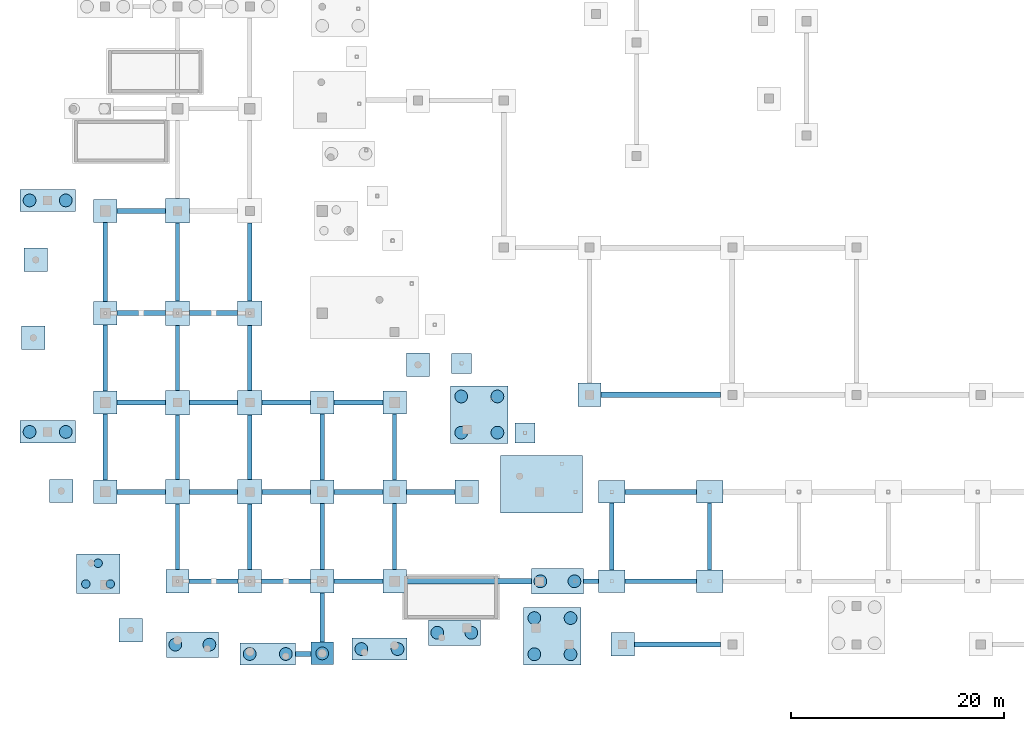
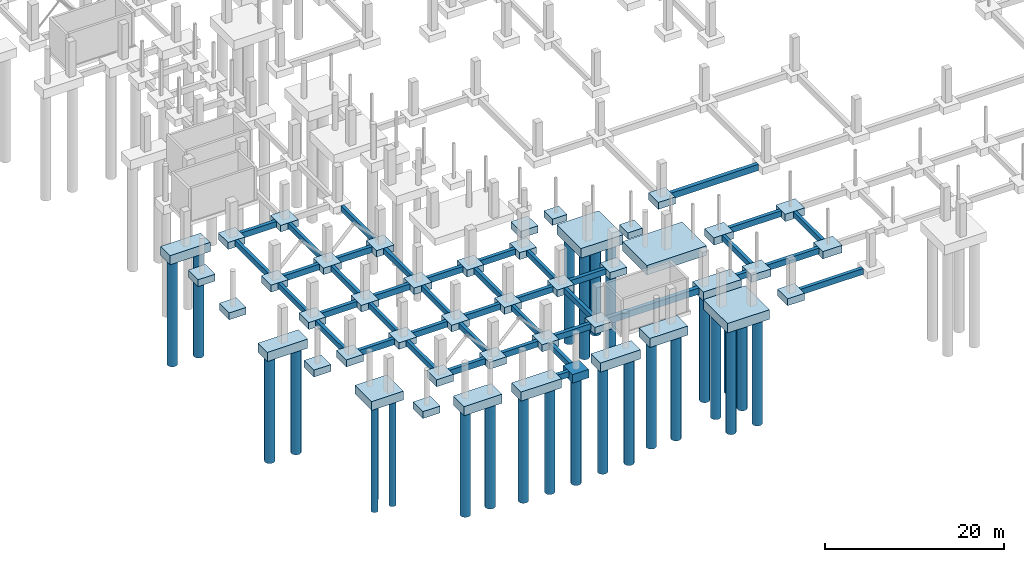
# One storey, part 1 of 44: 85 footings, 26 piles.
"""IFC4 building model written with IfcOpenShell, lengths in metres."""

from ifc_helpers import new_model, si_unit, direction, frame, origin, origin_2d, place, context, subcontext, project, spatial, rectangle, circle, extrude, material, material_profile, profile_set, type_object, element, save


model = new_model("IFC4")

# Units and contexts
model_context = context("Model", 3, precision=1e-05, world=origin(), true_north=direction((0.0, 1.0)))
body_context = subcontext(model_context, "Body", "Model", "MODEL_VIEW")
ifc_project = project(units=[si_unit("LENGTHUNIT", "METRE"), si_unit("AREAUNIT", "SQUARE_METRE"), si_unit("VOLUMEUNIT", "CUBIC_METRE"), si_unit("PLANEANGLEUNIT", "RADIAN"), si_unit("MASSUNIT", "GRAM", prefix="KILO")], contexts=[model_context])

# Site, building, storey
site_placement = place(None, origin())
site = spatial("IfcSite", under=ifc_project, at=site_placement, CompositionType="ELEMENT")
building_placement = place(site_placement, origin())
building = spatial("IfcBuilding", under=site, at=building_placement, Name="Kisaragi Civic Commons", CompositionType="ELEMENT")
storey_placement = place(building_placement, frame((0.0, 0.0, -4.800048828125)))
storey = spatial("IfcBuildingStorey", under=building, at=storey_placement, Name="B1", CompositionType="ELEMENT", Elevation=-4.800048828125)

# Footings
ifc_material_1 = material(Name="Concrete Fc27", Category="concrete")
ifc_material_profile_1 = material_profile(ifc_material_1, rectangle(XDim=0.5, YDim=0.85009765625, at=origin_2d()), Name="RC-500x850", Category="concrete")
ifc_profile_set_1 = profile_set([ifc_material_profile_1], Name="Concrete Fc27")
footing_type_1 = type_object("IfcFootingType", Name="FB-01", PredefinedType="FOOTING_BEAM", material=ifc_profile_set_1)
footing_1_placement = place(storey_placement, frame((35.10009765625, 8.39990234375, -0.425048828125), z_axis=(1.0, 0.0, 0.0), x_axis=(0.0, 1.0, 0.0)))
element("IfcFooting", 1, at=footing_1_placement, inside=storey, type_object=footing_type_1, Name="Foundation tie beam FB-01 X12", PredefinedType="FOOTING_BEAM", context=body_context, shape_type="SweptSolid", body=[
    extrude(rectangle(XDim=0.5, YDim=0.85009765625, at=origin_2d()), origin(), (0.0, 0.0, 1.0), 11.75),
])
footing_2_placement = place(storey_placement, frame((53.4169921875, 25.926025390625, -0.425048828125), z_axis=(1.0, 0.0, 0.0), x_axis=(0.0, 1.0, 0.0)))
element("IfcFooting", 2, at=footing_2_placement, inside=storey, type_object=footing_type_1, Name="Foundation tie beam FB-01 X48", PredefinedType="FOOTING_BEAM", context=body_context, shape_type="SweptSolid", body=[
    extrude(rectangle(XDim=0.5, YDim=0.85009765625, at=origin_2d()), origin(), (0.0, 0.0, 1.0), 11.219482421875),
])
ifc_material_profile_2 = material_profile(ifc_material_1, rectangle(XDim=0.449951171875, YDim=0.800048828125, at=origin_2d()), Name="RC-450x800", Category="concrete")
ifc_profile_set_2 = profile_set([ifc_material_profile_2], Name="Concrete Fc27")
footing_type_2 = type_object("IfcFootingType", Name="FB-02", PredefinedType="FOOTING_BEAM", material=ifc_profile_set_2)
footing_3_placement = place(storey_placement, frame((24.6826171875, 1.568115234375, -0.39990234375), z_axis=(1.0, 0.0, 0.0), x_axis=(0.0, 1.0, 0.0)))
element("IfcFooting", 3, at=footing_3_placement, inside=storey, type_object=footing_type_2, Name="Foundation tie beam FB-02 X6", PredefinedType="FOOTING_BEAM", context=body_context, shape_type="SweptSolid", body=[
    extrude(rectangle(XDim=0.449951171875, YDim=0.800048828125, at=origin_2d()), origin(), (0.0, 0.0, 1.0), 1.46728515625),
])
footing_4_placement = place(storey_placement, frame((56.528076171875, 2.467041015625, -0.39990234375), z_axis=(1.0, 0.0, 0.0), x_axis=(0.0, 1.0, 0.0)))
element("IfcFooting", 4, at=footing_4_placement, inside=storey, type_object=footing_type_2, Name="Foundation tie beam FB-02 X7", PredefinedType="FOOTING_BEAM", context=body_context, shape_type="SweptSolid", body=[
    extrude(rectangle(XDim=0.449951171875, YDim=0.800048828125, at=origin_2d()), origin(), (0.0, 0.0, 1.0), 8.1083984375),
])
for number, where, z_axis, x_axis, name in (
    (5, (14.699951171875, 8.39990234375, -0.39990234375), (1.0, 0.0, 0.0), (0.0, 1.0, 0.0), "Foundation tie beam FB-02 X9"),
    (6, (21.5, 8.39990234375, -0.39990234375), (1.0, 0.0, 0.0), (0.0, 1.0, 0.0), "Foundation tie beam FB-02 X10"),
):
    element("IfcFooting", number, at=place(storey_placement, frame(where, z_axis=z_axis, x_axis=x_axis)), inside=storey, type_object=footing_type_2, Name=name, PredefinedType="FOOTING_BEAM", context=body_context, shape_type="SweptSolid", body=[
        extrude(rectangle(XDim=0.449951171875, YDim=0.800048828125, at=origin_2d()), origin(), (0.0, 0.0, 1.0), 4.60009765625),
    ])
footing_5_placement = place(storey_placement, frame((28.300048828125, 8.39990234375, -0.39990234375), z_axis=(1.0, 0.0, 0.0), x_axis=(0.0, 1.0, 0.0)))
element("IfcFooting", 7, at=footing_5_placement, inside=storey, type_object=footing_type_2, Name="Foundation tie beam FB-02 X11", PredefinedType="FOOTING_BEAM", context=body_context, shape_type="SweptSolid", body=[
    extrude(rectangle(XDim=0.449951171875, YDim=0.800048828125, at=origin_2d()), origin(), (0.0, 0.0, 1.0), 4.599853515625),
])
footing_6_placement = place(storey_placement, frame((51.75, 8.39990234375, -0.39990234375), z_axis=(1.0, 0.0, 0.0), x_axis=(0.0, 1.0, 0.0)))
element("IfcFooting", 8, at=footing_6_placement, inside=storey, type_object=footing_type_2, Name="Foundation tie beam FB-02 X13", PredefinedType="FOOTING_BEAM", context=body_context, shape_type="SweptSolid", body=[
    extrude(rectangle(XDim=0.449951171875, YDim=0.800048828125, at=origin_2d()), origin(), (0.0, 0.0, 1.0), 1.39990234375),
])
footing_7_placement = place(storey_placement, frame((55.64990234375, 8.39990234375, -0.39990234375), z_axis=(1.0, 0.0, 0.0), x_axis=(0.0, 1.0, 0.0)))
element("IfcFooting", 9, at=footing_7_placement, inside=storey, type_object=footing_type_2, Name="Foundation tie beam FB-02 X14", PredefinedType="FOOTING_BEAM", context=body_context, shape_type="SweptSolid", body=[
    extrude(rectangle(XDim=0.449951171875, YDim=0.800048828125, at=origin_2d()), origin(), (0.0, 0.0, 1.0), 6.7001953125),
])
footing_8_placement = place(storey_placement, frame((7.89990234375, 16.800048828125, -0.39990234375), z_axis=(1.0, 0.0, 0.0), x_axis=(0.0, 1.0, 0.0)))
element("IfcFooting", 10, at=footing_8_placement, inside=storey, type_object=footing_type_2, Name="Foundation tie beam FB-02 X27", PredefinedType="FOOTING_BEAM", context=body_context, shape_type="SweptSolid", body=[
    extrude(rectangle(XDim=0.449951171875, YDim=0.800048828125, at=origin_2d()), origin(), (0.0, 0.0, 1.0), 4.550048828125),
])
footing_9_placement = place(storey_placement, frame((14.75, 16.800048828125, -0.39990234375), z_axis=(1.0, 0.0, 0.0), x_axis=(0.0, 1.0, 0.0)))
element("IfcFooting", 11, at=footing_9_placement, inside=storey, type_object=footing_type_2, Name="Foundation tie beam FB-02 X28", PredefinedType="FOOTING_BEAM", context=body_context, shape_type="SweptSolid", body=[
    extrude(rectangle(XDim=0.449951171875, YDim=0.800048828125, at=origin_2d()), origin(), (0.0, 0.0, 1.0), 4.5),
])
footing_10_placement = place(storey_placement, frame((21.550048828125, 16.800048828125, -0.39990234375), z_axis=(1.0, 0.0, 0.0), x_axis=(0.0, 1.0, 0.0)))
element("IfcFooting", 12, at=footing_10_placement, inside=storey, type_object=footing_type_2, Name="Foundation tie beam FB-02 X29", PredefinedType="FOOTING_BEAM", context=body_context, shape_type="SweptSolid", body=[
    extrude(rectangle(XDim=0.449951171875, YDim=0.800048828125, at=origin_2d()), origin(), (0.0, 0.0, 1.0), 4.550048828125),
])
for number, where, z_axis, x_axis, name in (
    (13, (28.300048828125, 16.800048828125, -0.39990234375), (1.0, 0.0, 0.0), (0.0, 1.0, 0.0), "Foundation tie beam FB-02 X30"),
    (14, (35.10009765625, 16.800048828125, -0.39990234375), (1.0, 0.0, 0.0), (0.0, 1.0, 0.0), "Foundation tie beam FB-02 X31"),
):
    element("IfcFooting", number, at=place(storey_placement, frame(where, z_axis=z_axis, x_axis=x_axis)), inside=storey, type_object=footing_type_2, Name=name, PredefinedType="FOOTING_BEAM", context=body_context, shape_type="SweptSolid", body=[
        extrude(rectangle(XDim=0.449951171875, YDim=0.800048828125, at=origin_2d()), origin(), (0.0, 0.0, 1.0), 4.599853515625),
    ])
footing_11_placement = place(storey_placement, frame((55.64990234375, 16.800048828125, -0.39990234375), z_axis=(1.0, 0.0, 0.0), x_axis=(0.0, 1.0, 0.0)))
element("IfcFooting", 15, at=footing_11_placement, inside=storey, type_object=footing_type_2, Name="Foundation tie beam FB-02 X32", PredefinedType="FOOTING_BEAM", context=body_context, shape_type="SweptSolid", body=[
    extrude(rectangle(XDim=0.449951171875, YDim=0.800048828125, at=origin_2d()), origin(), (0.0, 0.0, 1.0), 6.7001953125),
])
footing_12_placement = place(storey_placement, frame((7.89990234375, 25.199951171875, -0.39990234375), z_axis=(1.0, 0.0, 0.0), x_axis=(0.0, 1.0, 0.0)))
element("IfcFooting", 16, at=footing_12_placement, inside=storey, type_object=footing_type_2, Name="Foundation tie beam FB-02 X41", PredefinedType="FOOTING_BEAM", context=body_context, shape_type="SweptSolid", body=[
    extrude(rectangle(XDim=0.449951171875, YDim=0.800048828125, at=origin_2d()), origin(), (0.0, 0.0, 1.0), 4.550048828125),
])
footing_13_placement = place(storey_placement, frame((14.75, 25.199951171875, -0.39990234375), z_axis=(1.0, 0.0, 0.0), x_axis=(0.0, 1.0, 0.0)))
element("IfcFooting", 17, at=footing_13_placement, inside=storey, type_object=footing_type_2, Name="Foundation tie beam FB-02 X42", PredefinedType="FOOTING_BEAM", context=body_context, shape_type="SweptSolid", body=[
    extrude(rectangle(XDim=0.449951171875, YDim=0.800048828125, at=origin_2d()), origin(), (0.0, 0.0, 1.0), 4.5),
])
footing_14_placement = place(storey_placement, frame((21.550048828125, 25.199951171875, -0.39990234375), z_axis=(1.0, 0.0, 0.0), x_axis=(0.0, 1.0, 0.0)))
element("IfcFooting", 18, at=footing_14_placement, inside=storey, type_object=footing_type_2, Name="Foundation tie beam FB-02 X43", PredefinedType="FOOTING_BEAM", context=body_context, shape_type="SweptSolid", body=[
    extrude(rectangle(XDim=0.449951171875, YDim=0.800048828125, at=origin_2d()), origin(), (0.0, 0.0, 1.0), 4.550048828125),
])
footing_15_placement = place(storey_placement, frame((28.300048828125, 25.199951171875, -0.39990234375), z_axis=(1.0, 0.0, 0.0), x_axis=(0.0, 1.0, 0.0)))
element("IfcFooting", 19, at=footing_15_placement, inside=storey, type_object=footing_type_2, Name="Foundation tie beam FB-02 X44", PredefinedType="FOOTING_BEAM", context=body_context, shape_type="SweptSolid", body=[
    extrude(rectangle(XDim=0.449951171875, YDim=0.800048828125, at=origin_2d()), origin(), (0.0, 0.0, 1.0), 4.599853515625),
])
footing_16_placement = place(storey_placement, frame((7.89990234375, 33.60009765625, -0.39990234375), z_axis=(1.0, 0.0, 0.0), x_axis=(0.0, 1.0, 0.0)))
element("IfcFooting", 20, at=footing_16_placement, inside=storey, type_object=footing_type_2, Name="Foundation tie beam FB-02 X55", PredefinedType="FOOTING_BEAM", context=body_context, shape_type="SweptSolid", body=[
    extrude(rectangle(XDim=0.449951171875, YDim=0.800048828125, at=origin_2d()), origin(), (0.0, 0.0, 1.0), 4.550048828125),
])
footing_17_placement = place(storey_placement, frame((14.75, 33.60009765625, -0.39990234375), z_axis=(1.0, 0.0, 0.0), x_axis=(0.0, 1.0, 0.0)))
element("IfcFooting", 21, at=footing_17_placement, inside=storey, type_object=footing_type_2, Name="Foundation tie beam FB-02 X56", PredefinedType="FOOTING_BEAM", context=body_context, shape_type="SweptSolid", body=[
    extrude(rectangle(XDim=0.449951171875, YDim=0.800048828125, at=origin_2d()), origin(), (0.0, 0.0, 1.0), 4.5),
])
footing_18_placement = place(storey_placement, frame((7.89990234375, 43.199951171875, -0.39990234375), z_axis=(1.0, 0.0, 0.0), x_axis=(0.0, 1.0, 0.0)))
element("IfcFooting", 22, at=footing_18_placement, inside=storey, type_object=footing_type_2, Name="Foundation tie beam FB-02 X62", PredefinedType="FOOTING_BEAM", context=body_context, shape_type="SweptSolid", body=[
    extrude(rectangle(XDim=0.449951171875, YDim=0.800048828125, at=origin_2d()), origin(), (0.0, 0.0, 1.0), 4.550048828125),
])
ifc_material_profile_3 = material_profile(ifc_material_1, rectangle(XDim=0.39990234375, YDim=0.75, at=origin_2d()), Name="RC-400x750", Category="concrete")
ifc_profile_set_3 = profile_set([ifc_material_profile_3], Name="Concrete Fc27")
footing_type_3 = type_object("IfcFootingType", Name="FB-03", PredefinedType="FOOTING_BEAM", material=ifc_profile_set_3)
footing_19_placement = place(storey_placement, frame((6.800048828125, 17.89990234375, -0.375), z_axis=(0.0, 1.0, 0.0), x_axis=(-1.0, 0.0, 0.0)))
element("IfcFooting", 23, at=footing_19_placement, inside=storey, type_object=footing_type_3, Name="Foundation tie beam FB-03 Y156", PredefinedType="FOOTING_BEAM", context=body_context, shape_type="SweptSolid", body=[
    extrude(rectangle(XDim=0.39990234375, YDim=0.75, at=origin_2d()), origin(), (0.0, 0.0, 1.0), 6.2001953125),
])
footing_20_placement = place(storey_placement, frame((6.800048828125, 26.300048828125, -0.375), z_axis=(0.0, 1.0, 0.0), x_axis=(-1.0, 0.0, 0.0)))
element("IfcFooting", 24, at=footing_20_placement, inside=storey, type_object=footing_type_3, Name="Foundation tie beam FB-03 Y157", PredefinedType="FOOTING_BEAM", context=body_context, shape_type="SweptSolid", body=[
    extrude(rectangle(XDim=0.39990234375, YDim=0.75, at=origin_2d()), origin(), (0.0, 0.0, 1.0), 6.199951171875),
])
footing_21_placement = place(storey_placement, frame((6.800048828125, 34.699951171875, -0.375), z_axis=(0.0, 1.0, 0.0), x_axis=(-1.0, 0.0, 0.0)))
element("IfcFooting", 25, at=footing_21_placement, inside=storey, type_object=footing_type_3, Name="Foundation tie beam FB-03 Y158", PredefinedType="FOOTING_BEAM", context=body_context, shape_type="SweptSolid", body=[
    extrude(rectangle(XDim=0.39990234375, YDim=0.75, at=origin_2d()), origin(), (0.0, 0.0, 1.0), 7.400146484375),
])
footing_22_placement = place(storey_placement, frame((13.60009765625, 9.5, -0.375), z_axis=(0.0, 1.0, 0.0), x_axis=(-1.0, 0.0, 0.0)))
element("IfcFooting", 26, at=footing_22_placement, inside=storey, type_object=footing_type_3, Name="Foundation tie beam FB-03 Y161", PredefinedType="FOOTING_BEAM", context=body_context, shape_type="SweptSolid", body=[
    extrude(rectangle(XDim=0.39990234375, YDim=0.75, at=origin_2d()), origin(), (0.0, 0.0, 1.0), 6.14990234375),
])
footing_23_placement = place(storey_placement, frame((13.60009765625, 17.949951171875, -0.375), z_axis=(0.0, 1.0, 0.0), x_axis=(-1.0, 0.0, 0.0)))
element("IfcFooting", 27, at=footing_23_placement, inside=storey, type_object=footing_type_3, Name="Foundation tie beam FB-03 Y162", PredefinedType="FOOTING_BEAM", context=body_context, shape_type="SweptSolid", body=[
    extrude(rectangle(XDim=0.39990234375, YDim=0.75, at=origin_2d()), origin(), (0.0, 0.0, 1.0), 6.10009765625),
])
footing_24_placement = place(storey_placement, frame((13.60009765625, 26.35009765625, -0.375), z_axis=(0.0, 1.0, 0.0), x_axis=(-1.0, 0.0, 0.0)))
element("IfcFooting", 28, at=footing_24_placement, inside=storey, type_object=footing_type_3, Name="Foundation tie beam FB-03 Y163", PredefinedType="FOOTING_BEAM", context=body_context, shape_type="SweptSolid", body=[
    extrude(rectangle(XDim=0.39990234375, YDim=0.75, at=origin_2d()), origin(), (0.0, 0.0, 1.0), 6.099853515625),
])
footing_25_placement = place(storey_placement, frame((13.60009765625, 34.75, -0.375), z_axis=(0.0, 1.0, 0.0), x_axis=(-1.0, 0.0, 0.0)))
element("IfcFooting", 29, at=footing_25_placement, inside=storey, type_object=footing_type_3, Name="Foundation tie beam FB-03 Y164", PredefinedType="FOOTING_BEAM", context=body_context, shape_type="SweptSolid", body=[
    extrude(rectangle(XDim=0.39990234375, YDim=0.75, at=origin_2d()), origin(), (0.0, 0.0, 1.0), 7.300048828125),
])
footing_26_placement = place(storey_placement, frame((20.39990234375, 9.5, -0.375), z_axis=(0.0, 1.0, 0.0), x_axis=(-1.0, 0.0, 0.0)))
element("IfcFooting", 30, at=footing_26_placement, inside=storey, type_object=footing_type_3, Name="Foundation tie beam FB-03 Y176", PredefinedType="FOOTING_BEAM", context=body_context, shape_type="SweptSolid", body=[
    extrude(rectangle(XDim=0.39990234375, YDim=0.75, at=origin_2d()), origin(), (0.0, 0.0, 1.0), 6.14990234375),
])
footing_27_placement = place(storey_placement, frame((20.39990234375, 17.949951171875, -0.375), z_axis=(0.0, 1.0, 0.0), x_axis=(-1.0, 0.0, 0.0)))
element("IfcFooting", 31, at=footing_27_placement, inside=storey, type_object=footing_type_3, Name="Foundation tie beam FB-03 Y177", PredefinedType="FOOTING_BEAM", context=body_context, shape_type="SweptSolid", body=[
    extrude(rectangle(XDim=0.39990234375, YDim=0.75, at=origin_2d()), origin(), (0.0, 0.0, 1.0), 6.10009765625),
])
footing_28_placement = place(storey_placement, frame((20.39990234375, 26.35009765625, -0.375), z_axis=(0.0, 1.0, 0.0), x_axis=(-1.0, 0.0, 0.0)))
element("IfcFooting", 32, at=footing_28_placement, inside=storey, type_object=footing_type_3, Name="Foundation tie beam FB-03 Y178", PredefinedType="FOOTING_BEAM", context=body_context, shape_type="SweptSolid", body=[
    extrude(rectangle(XDim=0.39990234375, YDim=0.75, at=origin_2d()), origin(), (0.0, 0.0, 1.0), 6.099853515625),
])
footing_29_placement = place(storey_placement, frame((20.39990234375, 34.75, -0.375), z_axis=(0.0, 1.0, 0.0), x_axis=(-1.0, 0.0, 0.0)))
element("IfcFooting", 33, at=footing_29_placement, inside=storey, type_object=footing_type_3, Name="Foundation tie beam FB-03 Y179", PredefinedType="FOOTING_BEAM", context=body_context, shape_type="SweptSolid", body=[
    extrude(rectangle(XDim=0.39990234375, YDim=0.75, at=origin_2d()), origin(), (0.0, 0.0, 1.0), 7.300048828125),
])
footing_30_placement = place(storey_placement, frame((27.199951171875, 2.67236328125, -0.375), z_axis=(0.0, 1.0, 0.0), x_axis=(-1.0, 0.0, 0.0)))
element("IfcFooting", 34, at=footing_30_placement, inside=storey, type_object=footing_type_3, Name="Foundation tie beam FB-03 Y191", PredefinedType="FOOTING_BEAM", context=body_context, shape_type="SweptSolid", body=[
    extrude(rectangle(XDim=0.39990234375, YDim=0.75, at=origin_2d()), origin(), (0.0, 0.0, 1.0), 4.627685546875),
])
footing_31_placement = place(storey_placement, frame((27.199951171875, 9.5, -0.375), z_axis=(0.0, 1.0, 0.0), x_axis=(-1.0, 0.0, 0.0)))
element("IfcFooting", 35, at=footing_31_placement, inside=storey, type_object=footing_type_3, Name="Foundation tie beam FB-03 Y192", PredefinedType="FOOTING_BEAM", context=body_context, shape_type="SweptSolid", body=[
    extrude(rectangle(XDim=0.39990234375, YDim=0.75, at=origin_2d()), origin(), (0.0, 0.0, 1.0), 6.199951171875),
])
footing_32_placement = place(storey_placement, frame((27.199951171875, 17.89990234375, -0.375), z_axis=(0.0, 1.0, 0.0), x_axis=(-1.0, 0.0, 0.0)))
element("IfcFooting", 36, at=footing_32_placement, inside=storey, type_object=footing_type_3, Name="Foundation tie beam FB-03 Y193", PredefinedType="FOOTING_BEAM", context=body_context, shape_type="SweptSolid", body=[
    extrude(rectangle(XDim=0.39990234375, YDim=0.75, at=origin_2d()), origin(), (0.0, 0.0, 1.0), 6.2001953125),
])
footing_33_placement = place(storey_placement, frame((34.0, 9.5, -0.375), z_axis=(0.0, 1.0, 0.0), x_axis=(-1.0, 0.0, 0.0)))
element("IfcFooting", 37, at=footing_33_placement, inside=storey, type_object=footing_type_3, Name="Foundation tie beam FB-03 Y198", PredefinedType="FOOTING_BEAM", context=body_context, shape_type="SweptSolid", body=[
    extrude(rectangle(XDim=0.39990234375, YDim=0.75, at=origin_2d()), origin(), (0.0, 0.0, 1.0), 6.199951171875),
])
footing_34_placement = place(storey_placement, frame((34.0, 17.89990234375, -0.375), z_axis=(0.0, 1.0, 0.0), x_axis=(-1.0, 0.0, 0.0)))
element("IfcFooting", 38, at=footing_34_placement, inside=storey, type_object=footing_type_3, Name="Foundation tie beam FB-03 Y199", PredefinedType="FOOTING_BEAM", context=body_context, shape_type="SweptSolid", body=[
    extrude(rectangle(XDim=0.39990234375, YDim=0.75, at=origin_2d()), origin(), (0.0, 0.0, 1.0), 6.2001953125),
])
for number, where, z_axis, x_axis, name in (
    (39, (54.39990234375, 9.449951171875, -0.375), (0.0, 1.0, 0.0), (-1.0, 0.0, 0.0), "Foundation tie beam FB-03 Y211"),
    (40, (63.60009765625, 9.449951171875, -0.375), (0.0, 1.0, 0.0), (-1.0, 0.0, 0.0), "Foundation tie beam FB-03 Y215"),
):
    element("IfcFooting", number, at=place(storey_placement, frame(where, z_axis=z_axis, x_axis=x_axis)), inside=storey, type_object=footing_type_3, Name=name, PredefinedType="FOOTING_BEAM", context=body_context, shape_type="SweptSolid", body=[
        extrude(rectangle(XDim=0.39990234375, YDim=0.75, at=origin_2d()), origin(), (0.0, 0.0, 1.0), 6.300048828125),
    ])

# Piles
ifc_material_profile_4 = material_profile(ifc_material_1, circle(Radius=0.39990234375, at=origin_2d()), Name="PILE-D800", Category="concrete")
ifc_profile_set_4 = profile_set([ifc_material_profile_4], Name="Concrete Fc27")
pile_type_1 = type_object("IfcPileType", Name="P-08", PredefinedType="BORED", material=ifc_profile_set_4)
for number, where, z_axis, x_axis, name in (
    (41, (4.9873046875, 8.14501953125, -1.099853515625), (0.0, 0.0, -1.0), (1.0, 0.0, 0.0), "Bored pile P-08 13.1"),
    (42, (7.287353515625, 8.14501953125, -1.099853515625), (0.0, 0.0, -1.0), (1.0, 0.0, 0.0), "Bored pile P-08 13.2"),
    (43, (6.13720703125, 10.094970703125, -1.099853515625), (0.0, 0.0, -1.0), (1.0, 0.0, 0.0), "Bored pile P-08 13.3"),
):
    element("IfcPile", number, at=place(storey_placement, frame(where, z_axis=z_axis, x_axis=x_axis)), inside=storey, type_object=pile_type_1, Name=name, PredefinedType="BORED", context=body_context, shape_type="SweptSolid", body=[
        extrude(circle(Radius=0.39990234375, at=origin_2d()), origin(), (0.0, 0.0, 1.0), 14.60009765625),
    ])
ifc_material_profile_5 = material_profile(ifc_material_1, circle(Radius=0.60009765625, at=origin_2d()), Name="PILE-D1200", Category="concrete")
ifc_profile_set_5 = profile_set([ifc_material_profile_5], Name="Concrete Fc27")
pile_type_2 = type_object("IfcPileType", Name="P-12", PredefinedType="BORED", material=ifc_profile_set_5)
for number, where, z_axis, x_axis, name in (
    (44, (-0.300048828125, 22.4384765625, -1.099853515625), (0.0, 0.0, -1.0), (1.0, 0.0, 0.0), "Bored pile P-12 5.1"),
    (45, (3.10009765625, 22.4384765625, -1.099853515625), (0.0, 0.0, -1.0), (1.0, 0.0, 0.0), "Bored pile P-12 5.2"),
    (46, (-0.300048828125, 44.1923828125, -1.099853515625), (0.0, 0.0, -1.0), (1.0, 0.0, 0.0), "Bored pile P-12 6.1"),
    (47, (3.10009765625, 44.1923828125, -1.099853515625), (0.0, 0.0, -1.0), (1.0, 0.0, 0.0), "Bored pile P-12 6.2"),
    (48, (13.397705078125, 2.449462890625, -1.099853515625), (0.0, 0.0, -1.0), (1.0, 0.0, 0.0), "Bored pile P-12 23.1"),
    (49, (16.59765625, 2.449462890625, -1.099853515625), (0.0, 0.0, -1.0), (1.0, 0.0, 0.0), "Bored pile P-12 23.2"),
    (50, (20.382568359375, 1.568115234375, -1.099853515625), (0.0, 0.0, -1.0), (1.0, 0.0, 0.0), "Bored pile P-12 40.1"),
    (51, (23.78271484375, 1.568115234375, -1.099853515625), (0.0, 0.0, -1.0), (1.0, 0.0, 0.0), "Bored pile P-12 40.2"),
    (52, (27.199951171875, 1.622314453125, -1.099853515625), (0.0, 0.0, -1.0), (1.0, 0.0, 0.0), "Bored pile P-12 58.1"),
    (53, (30.8798828125, 2.033203125, -1.099853515625), (0.0, 0.0, -1.0), (1.0, 0.0, 0.0), "Bored pile P-12 74.1"),
    (54, (34.280029296875, 2.033203125, -1.099853515625), (0.0, 0.0, -1.0), (1.0, 0.0, 0.0), "Bored pile P-12 74.2"),
    (55, (38.014892578125, 3.56298828125, -1.099853515625), (0.0, 0.0, -1.0), (1.0, 0.0, 0.0), "Bored pile P-12 88.1"),
    (56, (41.215087890625, 3.56298828125, -1.099853515625), (0.0, 0.0, -1.0), (1.0, 0.0, 0.0), "Bored pile P-12 88.2"),
    (57, (40.26318359375, 22.3701171875, -1.099853515625), (0.0, 0.0, -1.0), (1.0, 0.0, 0.0), "Bored pile P-12 94.1"),
    (58, (43.6630859375, 22.3701171875, -1.099853515625), (0.0, 0.0, -1.0), (1.0, 0.0, 0.0), "Bored pile P-12 94.2"),
    (59, (40.26318359375, 25.77001953125, -1.099853515625), (0.0, 0.0, -1.0), (1.0, 0.0, 0.0), "Bored pile P-12 94.3"),
    (60, (43.6630859375, 25.77001953125, -1.099853515625), (0.0, 0.0, -1.0), (1.0, 0.0, 0.0), "Bored pile P-12 94.4"),
    (61, (47.135986328125, 1.54345703125, -1.099853515625), (0.0, 0.0, -1.0), (1.0, 0.0, 0.0), "Bored pile P-12 105.1"),
    (62, (50.535888671875, 1.54345703125, -1.099853515625), (0.0, 0.0, -1.0), (1.0, 0.0, 0.0), "Bored pile P-12 105.2"),
    (63, (47.135986328125, 4.943603515625, -1.099853515625), (0.0, 0.0, -1.0), (1.0, 0.0, 0.0), "Bored pile P-12 105.3"),
    (64, (50.535888671875, 4.943603515625, -1.099853515625), (0.0, 0.0, -1.0), (1.0, 0.0, 0.0), "Bored pile P-12 105.4"),
    (65, (47.699951171875, 8.39990234375, -1.099853515625), (0.0, 0.0, -1.0), (1.0, 0.0, 0.0), "Bored pile P-12 107.1"),
    (66, (50.89990234375, 8.39990234375, -1.099853515625), (0.0, 0.0, -1.0), (1.0, 0.0, 0.0), "Bored pile P-12 107.2"),
):
    element("IfcPile", number, at=place(storey_placement, frame(where, z_axis=z_axis, x_axis=x_axis)), inside=storey, type_object=pile_type_2, Name=name, PredefinedType="BORED", context=body_context, shape_type="SweptSolid", body=[
        extrude(circle(Radius=0.60009765625, at=origin_2d()), origin(), (0.0, 0.0, 1.0), 14.60009765625),
    ])

# Footings
ifc_material_2 = material(Name="Concrete Fc36", Category="concrete")
footing_type_4 = type_object("IfcFootingType", Name="PC-1B", PredefinedType="PILE_CAP", material=ifc_material_2)
footing_35_placement = place(storey_placement, frame((27.199951171875, 1.622314453125, -1.14990234375), z_axis=(0.0, 0.0, 1.0), x_axis=(1.0, 0.0, 0.0)))
element("IfcFooting", 67, at=footing_35_placement, inside=storey, type_object=footing_type_4, Name="Pile cap PC-1B 58", PredefinedType="PILE_CAP", context=body_context, shape_type="SweptSolid", body=[
    extrude(rectangle(XDim=2.10009765625, YDim=2.10009765625, at=origin_2d()), origin(), (0.0, 0.0, 1.0), 1.14990234375),
])
footing_type_5 = type_object("IfcFootingType", Name="PC-2D", PredefinedType="PILE_CAP", material=ifc_material_2)
for number, where, z_axis, x_axis, name in (
    (68, (1.39990234375, 22.4384765625, -1.25), (0.0, 0.0, 1.0), (1.0, 0.0, 0.0), "Pile cap PC-2D 5"),
    (69, (1.39990234375, 44.1923828125, -1.25), (0.0, 0.0, 1.0), (1.0, 0.0, 0.0), "Pile cap PC-2D 6"),
    (70, (22.08251953125, 1.568115234375, -1.25), (0.0, 0.0, 1.0), (1.0, 0.0, 0.0), "Pile cap PC-2D 40"),
    (71, (32.580078125, 2.033203125, -1.25), (0.0, 0.0, 1.0), (1.0, 0.0, 0.0), "Pile cap PC-2D 74"),
):
    element("IfcFooting", number, at=place(storey_placement, frame(where, z_axis=z_axis, x_axis=x_axis)), inside=storey, type_object=footing_type_5, Name=name, PredefinedType="PILE_CAP", context=body_context, shape_type="SweptSolid", body=[
        extrude(rectangle(XDim=5.199951171875, YDim=2.10009765625, at=origin_2d()), origin(), (0.0, 0.0, 1.0), 1.25),
    ])
footing_type_6 = type_object("IfcFootingType", Name="PC-3A", PredefinedType="PILE_CAP", material=ifc_material_2)
footing_36_placement = place(storey_placement, frame((6.13720703125, 9.094970703125, -1.19970703125), z_axis=(0.0, 0.0, 1.0), x_axis=(1.0, 0.0, 0.0)))
element("IfcFooting", 72, at=footing_36_placement, inside=storey, type_object=footing_type_6, Name="Pile cap PC-3A 13", PredefinedType="PILE_CAP", context=body_context, shape_type="SweptSolid", body=[
    extrude(rectangle(XDim=4.10009765625, YDim=3.699951171875, at=origin_2d()), origin(), (0.0, 0.0, 1.0), 1.199951171875),
])
footing_type_7 = type_object("IfcFootingType", Name="PC-4B", PredefinedType="PILE_CAP", material=ifc_material_2)
for number, where, z_axis, x_axis, name in (
    (73, (14.997802734375, 2.449462890625, -1.25), (0.0, 0.0, 1.0), (1.0, 0.0, 0.0), "Pile cap PC-4B 23"),
    (74, (39.614990234375, 3.56298828125, -1.25), (0.0, 0.0, 1.0), (1.0, 0.0, 0.0), "Pile cap PC-4B 88"),
    (75, (49.300048828125, 8.39990234375, -1.25), (0.0, 0.0, 1.0), (1.0, 0.0, 0.0), "Pile cap PC-4B 107"),
):
    element("IfcFooting", number, at=place(storey_placement, frame(where, z_axis=z_axis, x_axis=x_axis)), inside=storey, type_object=footing_type_7, Name=name, PredefinedType="PILE_CAP", context=body_context, shape_type="SweptSolid", body=[
        extrude(rectangle(XDim=4.89990234375, YDim=2.39990234375, at=origin_2d()), origin(), (0.0, 0.0, 1.0), 1.25),
    ])
footing_type_8 = type_object("IfcFootingType", Name="PC-4C", PredefinedType="PILE_CAP", material=ifc_material_2)
for number, where, z_axis, x_axis, name in (
    (76, (41.963134765625, 24.070068359375, -1.2998046875), (0.0, 0.0, 1.0), (1.0, 0.0, 0.0), "Pile cap PC-4C 94"),
    (77, (48.8359375, 3.243408203125, -1.2998046875), (0.0, 0.0, 1.0), (1.0, 0.0, 0.0), "Pile cap PC-4C 105"),
):
    element("IfcFooting", number, at=place(storey_placement, frame(where, z_axis=z_axis, x_axis=x_axis)), inside=storey, type_object=footing_type_8, Name=name, PredefinedType="PILE_CAP", context=body_context, shape_type="SweptSolid", body=[
        extrude(rectangle(XDim=5.39990234375, YDim=5.39990234375, at=origin_2d()), origin(), (0.0, 0.0, 1.0), 1.300048828125),
    ])
footing_type_9 = type_object("IfcFootingType", Name="PF-01", PredefinedType="PAD_FOOTING", material=ifc_material_2)
for number, where, z_axis, x_axis, name in (
    (78, (40.295654296875, 28.87451171875, -0.85009765625), (0.0, 0.0, 1.0), (1.0, 0.0, 0.0), "Pad footing PF-01 92"),
    (79, (46.2548828125, 22.341552734375, -0.85009765625), (0.0, 0.0, 1.0), (1.0, 0.0, 0.0), "Pad footing PF-01 103"),
):
    element("IfcFooting", number, at=place(storey_placement, frame(where, z_axis=z_axis, x_axis=x_axis)), inside=storey, type_object=footing_type_9, Name=name, PredefinedType="PAD_FOOTING", context=body_context, shape_type="SweptSolid", body=[
        extrude(rectangle(XDim=1.89990234375, YDim=1.89990234375, at=origin_2d()), origin(), (0.0, 0.0, 1.0), 0.85009765625),
    ])
footing_type_10 = type_object("IfcFootingType", Name="PF-02", PredefinedType="PAD_FOOTING", material=ifc_material_2)
for number, where, z_axis, x_axis, name in (
    (80, (0.051513671875, 31.277099609375, -0.94970703125), (0.0, 0.0, 1.0), (1.0, 0.0, 0.0), "Pad footing PF-02 1"),
    (81, (0.28125, 38.604248046875, -0.94970703125), (0.0, 0.0, 1.0), (1.0, 0.0, 0.0), "Pad footing PF-02 2"),
    (82, (2.67431640625, 16.888916015625, -0.94970703125), (0.0, 0.0, 1.0), (1.0, 0.0, 0.0), "Pad footing PF-02 9"),
    (83, (6.800048828125, 16.800048828125, -0.94970703125), (0.0, 0.0, 1.0), (1.0, 0.0, 0.0), "Pad footing PF-02 14"),
    (84, (6.800048828125, 25.199951171875, -0.94970703125), (0.0, 0.0, 1.0), (1.0, 0.0, 0.0), "Pad footing PF-02 15"),
    (85, (6.800048828125, 33.60009765625, -0.94970703125), (0.0, 0.0, 1.0), (1.0, 0.0, 0.0), "Pad footing PF-02 16"),
    (86, (6.800048828125, 43.199951171875, -0.94970703125), (0.0, 0.0, 1.0), (1.0, 0.0, 0.0), "Pad footing PF-02 17"),
    (87, (9.199951171875, 3.800048828125, -0.94970703125), (0.0, 0.0, 1.0), (1.0, 0.0, 0.0), "Pad footing PF-02 22"),
    (88, (13.60009765625, 8.39990234375, -0.94970703125), (0.0, 0.0, 1.0), (1.0, 0.0, 0.0), "Pad footing PF-02 24"),
    (89, (20.39990234375, 8.39990234375, -0.94970703125), (0.0, 0.0, 1.0), (1.0, 0.0, 0.0), "Pad footing PF-02 41"),
    (90, (27.199951171875, 8.39990234375, -0.94970703125), (0.0, 0.0, 1.0), (1.0, 0.0, 0.0), "Pad footing PF-02 59"),
    (91, (27.199951171875, 16.800048828125, -0.94970703125), (0.0, 0.0, 1.0), (1.0, 0.0, 0.0), "Pad footing PF-02 60"),
    (92, (27.199951171875, 25.199951171875, -0.94970703125), (0.0, 0.0, 1.0), (1.0, 0.0, 0.0), "Pad footing PF-02 61"),
    (93, (34.0, 8.39990234375, -0.94970703125), (0.0, 0.0, 1.0), (1.0, 0.0, 0.0), "Pad footing PF-02 78"),
    (94, (34.0, 16.800048828125, -0.94970703125), (0.0, 0.0, 1.0), (1.0, 0.0, 0.0), "Pad footing PF-02 79"),
    (95, (34.0, 25.199951171875, -0.94970703125), (0.0, 0.0, 1.0), (1.0, 0.0, 0.0), "Pad footing PF-02 80"),
    (96, (36.19873046875, 28.740966796875, -0.94970703125), (0.0, 0.0, 1.0), (1.0, 0.0, 0.0), "Pad footing PF-02 85"),
    (97, (40.800048828125, 16.800048828125, -0.94970703125), (0.0, 0.0, 1.0), (1.0, 0.0, 0.0), "Pad footing PF-02 93"),
    (98, (52.31689453125, 25.926025390625, -0.94970703125), (0.0, 0.0, 1.0), (1.0, 0.0, 0.0), "Pad footing PF-02 114"),
    (99, (55.427978515625, 2.467041015625, -0.94970703125), (0.0, 0.0, 1.0), (1.0, 0.0, 0.0), "Pad footing PF-02 120"),
):
    element("IfcFooting", number, at=place(storey_placement, frame(where, z_axis=z_axis, x_axis=x_axis)), inside=storey, type_object=footing_type_10, Name=name, PredefinedType="PAD_FOOTING", context=body_context, shape_type="SweptSolid", body=[
        extrude(rectangle(XDim=2.199951171875, YDim=2.199951171875, at=origin_2d()), origin(), (0.0, 0.0, 1.0), 0.949951171875),
    ])
footing_type_11 = type_object("IfcFootingType", Name="PF-03", PredefinedType="PAD_FOOTING", material=ifc_material_2)
for number, where, z_axis, x_axis, name in (
    (100, (54.39990234375, 8.39990234375, -1.0), (0.0, 0.0, 1.0), (1.0, 0.0, 0.0), "Pad footing PF-03 118"),
    (101, (54.39990234375, 16.800048828125, -1.0), (0.0, 0.0, 1.0), (1.0, 0.0, 0.0), "Pad footing PF-03 119"),
    (102, (63.60009765625, 8.39990234375, -1.0), (0.0, 0.0, 1.0), (1.0, 0.0, 0.0), "Pad footing PF-03 126"),
    (103, (63.60009765625, 16.800048828125, -1.0), (0.0, 0.0, 1.0), (1.0, 0.0, 0.0), "Pad footing PF-03 127"),
):
    element("IfcFooting", number, at=place(storey_placement, frame(where, z_axis=z_axis, x_axis=x_axis)), inside=storey, type_object=footing_type_11, Name=name, PredefinedType="PAD_FOOTING", context=body_context, shape_type="SweptSolid", body=[
        extrude(rectangle(XDim=2.5, YDim=2.10009765625, at=origin_2d()), origin(), (0.0, 0.0, 1.0), 1.0),
    ])
footing_type_12 = type_object("IfcFootingType", Name="PF-04", PredefinedType="PAD_FOOTING", material=ifc_material_2)
for number, where, z_axis, x_axis, name in (
    (104, (13.60009765625, 16.800048828125, -0.89990234375), (0.0, 0.0, 1.0), (1.0, 0.0, 0.0), "Pad footing PF-04 25"),
    (105, (13.60009765625, 25.199951171875, -0.89990234375), (0.0, 0.0, 1.0), (1.0, 0.0, 0.0), "Pad footing PF-04 26"),
    (106, (13.60009765625, 33.60009765625, -0.89990234375), (0.0, 0.0, 1.0), (1.0, 0.0, 0.0), "Pad footing PF-04 27"),
    (107, (13.60009765625, 43.199951171875, -0.89990234375), (0.0, 0.0, 1.0), (1.0, 0.0, 0.0), "Pad footing PF-04 28"),
    (108, (20.39990234375, 16.800048828125, -0.89990234375), (0.0, 0.0, 1.0), (1.0, 0.0, 0.0), "Pad footing PF-04 42"),
    (109, (20.39990234375, 25.199951171875, -0.89990234375), (0.0, 0.0, 1.0), (1.0, 0.0, 0.0), "Pad footing PF-04 43"),
    (110, (20.39990234375, 33.60009765625, -0.89990234375), (0.0, 0.0, 1.0), (1.0, 0.0, 0.0), "Pad footing PF-04 44"),
):
    element("IfcFooting", number, at=place(storey_placement, frame(where, z_axis=z_axis, x_axis=x_axis)), inside=storey, type_object=footing_type_12, Name=name, PredefinedType="PAD_FOOTING", context=body_context, shape_type="SweptSolid", body=[
        extrude(rectangle(XDim=2.300048828125, YDim=2.300048828125, at=origin_2d()), origin(), (0.0, 0.0, 1.0), 0.89990234375),
    ])
footing_type_13 = type_object("IfcFootingType", Name="PF-M04", PredefinedType="PAD_FOOTING", material=ifc_material_2)
footing_37_placement = place(storey_placement, frame((47.8115234375, 17.537109375, -1.2998046875), z_axis=(0.0, 0.0, 1.0), x_axis=(1.0, 0.0, 0.0)))
element("IfcFooting", 111, at=footing_37_placement, inside=storey, type_object=footing_type_13, Name="Pad footing PF-M04 102", PredefinedType="PAD_FOOTING", context=body_context, shape_type="SweptSolid", body=[
    extrude(rectangle(XDim=7.677001953125, YDim=5.39990234375, at=origin_2d()), origin(), (0.0, 0.0, 1.0), 1.300048828125),
])

save(model, "model.ifc")
